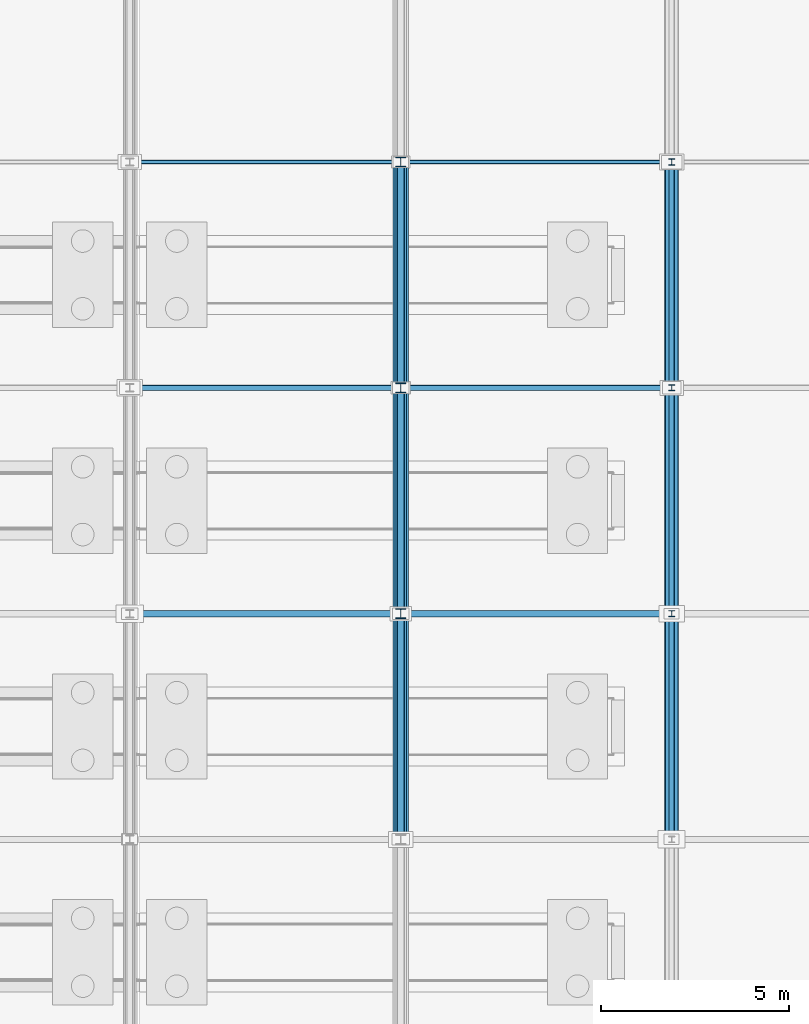
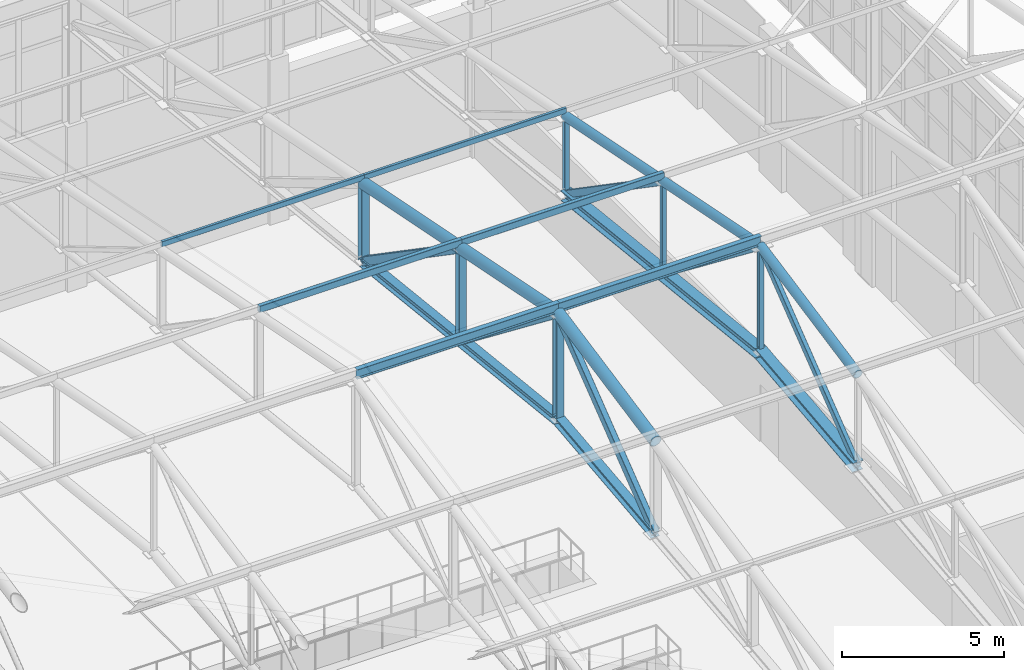
# One storey, part 189 of 293: 30 members.
"""IFC4 building model written with IfcOpenShell, lengths in metres."""

from ifc_helpers import new_model, si_unit, direction, frame, origin, origin_2d, place, context, subcontext, project, spatial, hollow_rectangle, hollow_circle, i_section, extrude, material, material_profile, profile_set, type_object, element, save


model = new_model("IFC4")

# Units and contexts
model_context = context("Model", 3, precision=1e-05, world=origin(), true_north=direction((0.0, 1.0)))
body_context = subcontext(model_context, "Body", "Model", "MODEL_VIEW")
ifc_project = project(units=[si_unit("LENGTHUNIT", "METRE"), si_unit("AREAUNIT", "SQUARE_METRE"), si_unit("VOLUMEUNIT", "CUBIC_METRE"), si_unit("PLANEANGLEUNIT", "RADIAN"), si_unit("MASSUNIT", "GRAM", prefix="KILO")], contexts=[model_context])

# Site, building, storey
site_placement = place(None, origin())
site = spatial("IfcSite", under=ifc_project, at=site_placement, CompositionType="ELEMENT")
building_placement = place(site_placement, origin())
building = spatial("IfcBuilding", under=site, at=building_placement, Name="Kemerveld Promenade Tramway Depot", CompositionType="ELEMENT")
storey_placement = place(building_placement, origin())
storey = spatial("IfcBuildingStorey", under=building, at=storey_placement, Name="L00", CompositionType="ELEMENT", Elevation=0.0)

# Members
ifc_material = material(Name="Steel S355", Category="steel")
ifc_material_profile_1 = material_profile(ifc_material, hollow_rectangle(XDim=0.199951171875, YDim=0.300048828125, WallThickness=0.012451171875, InnerFilletRadius=0.00634765625, OuterFilletRadius=0.018798828125, at=origin_2d()), Name="300x200x12.5 RHS")
ifc_profile_set_1 = profile_set([ifc_material_profile_1], Name="Steel S355")
member_type_1 = type_object("IfcMemberType", Name="MB-M01", PredefinedType="BRACE", material=ifc_profile_set_1)
for number, where, z_axis, x_axis, name in (
    (1, (165.60009765625, 108.0, 12.43994140625), (0.0, 0.789767329101, 0.613406525793), (-1.0, 0.0, 0.0), "TR-24-DG-05"),
    (2, (165.60009765625, 120.0, 12.43994140625), (0.0, -0.789767329101, 0.613406525793), (1.0, 0.0, 0.0), "TR-24-DG-06"),
):
    element("IfcMember", number, at=place(storey_placement, frame(where, z_axis=z_axis, x_axis=x_axis)), inside=storey, type_object=member_type_1, Name=name, PredefinedType="BRACE", context=body_context, shape_type="SweptSolid", body=[
        extrude(hollow_rectangle(XDim=0.199951171875, YDim=0.300048828125, WallThickness=0.012451171875, InnerFilletRadius=0.00634765625, OuterFilletRadius=0.018798828125, at=origin_2d()), origin(), (0.0, 0.0, 1.0), 7.59716796875),
    ])
member_1_placement = place(storey_placement, frame((165.60009765625, 126.0, 11.780029296875), z_axis=(0.0, -0.824370638462, 0.566050395673), x_axis=(1.0, 0.0, 0.0)))
element("IfcMember", 3, at=member_1_placement, inside=storey, type_object=member_type_1, Name="TR-24-DG-07", PredefinedType="BRACE", context=body_context, shape_type="SweptSolid", body=[
    extrude(hollow_rectangle(XDim=0.199951171875, YDim=0.300048828125, WallThickness=0.012451171875, InnerFilletRadius=0.00634765625, OuterFilletRadius=0.018798828125, at=origin_2d()), origin(), (0.0, 0.0, 1.0), 7.2783203125),
])
ifc_material_profile_2 = material_profile(ifc_material, hollow_rectangle(XDim=0.14990234375, YDim=0.25, WallThickness=0.010009765625, InnerFilletRadius=0.0048828125, OuterFilletRadius=0.014892578125, at=origin_2d()), Name="250x150x10.0 RHS")
ifc_profile_set_2 = profile_set([ifc_material_profile_2], Name="Steel S355")
member_type_2 = type_object("IfcMemberType", Name="MB-M02", PredefinedType="BRACE", material=ifc_profile_set_2)
for number, where, z_axis, x_axis, name in (
    (4, (172.800048828125, 108.0, 12.43994140625), (0.0, 0.789767329101, 0.613406525793), (-1.0, 0.0, 0.0), "TR-25-DG-05"),
    (5, (172.800048828125, 120.0, 12.43994140625), (0.0, -0.789767329101, 0.613406525793), (1.0, 0.0, 0.0), "TR-25-DG-06"),
):
    element("IfcMember", number, at=place(storey_placement, frame(where, z_axis=z_axis, x_axis=x_axis)), inside=storey, type_object=member_type_2, Name=name, PredefinedType="BRACE", context=body_context, shape_type="SweptSolid", body=[
        extrude(hollow_rectangle(XDim=0.14990234375, YDim=0.25, WallThickness=0.010009765625, InnerFilletRadius=0.0048828125, OuterFilletRadius=0.014892578125, at=origin_2d()), origin(), (0.0, 0.0, 1.0), 7.59716796875),
    ])
member_2_placement = place(storey_placement, frame((172.800048828125, 126.0, 11.780029296875), z_axis=(0.0, -0.824370638462, 0.566050395673), x_axis=(1.0, 0.0, 0.0)))
element("IfcMember", 6, at=member_2_placement, inside=storey, type_object=member_type_2, Name="TR-25-DG-07", PredefinedType="BRACE", context=body_context, shape_type="SweptSolid", body=[
    extrude(hollow_rectangle(XDim=0.14990234375, YDim=0.25, WallThickness=0.010009765625, InnerFilletRadius=0.0048828125, OuterFilletRadius=0.014892578125, at=origin_2d()), origin(), (0.0, 0.0, 1.0), 7.2783203125),
])
ifc_material_profile_3 = material_profile(ifc_material, i_section(OverallWidth=0.25634765625, OverallDepth=0.26025390625, WebThickness=0.01025390625, FlangeThickness=0.017333984375, FilletRadius=0.0126953125, at=origin_2d()), Name="254x254x89 UC")
ifc_profile_set_3 = profile_set([ifc_material_profile_3], Name="Steel S355")
member_type_3 = type_object("IfcMemberType", Name="MB-M04", PredefinedType="POST", material=ifc_profile_set_3)
member_3_placement = place(storey_placement, frame((165.60009765625, 114.0, 13.10009765625), z_axis=(0.0, 0.0, 1.0), x_axis=(1.0, 0.0, 0.0)))
element("IfcMember", 7, at=member_3_placement, inside=storey, type_object=member_type_3, Name="TR-24-VT-05", PredefinedType="POST", context=body_context, shape_type="SweptSolid", body=[
    extrude(i_section(OverallWidth=0.25634765625, OverallDepth=0.26025390625, WebThickness=0.01025390625, FlangeThickness=0.017333984375, FilletRadius=0.0126953125, at=origin_2d()), origin(), (0.0, 0.0, 1.0), 4.0),
])
member_4_placement = place(storey_placement, frame((165.60009765625, 120.0, 12.43994140625), z_axis=(0.0, 0.0, 1.0), x_axis=(1.0, 0.0, 0.0)))
element("IfcMember", 8, at=member_4_placement, inside=storey, type_object=member_type_3, Name="TR-24-VT-06", PredefinedType="POST", context=body_context, shape_type="SweptSolid", body=[
    extrude(i_section(OverallWidth=0.25634765625, OverallDepth=0.26025390625, WebThickness=0.01025390625, FlangeThickness=0.017333984375, FilletRadius=0.0126953125, at=origin_2d()), origin(), (0.0, 0.0, 1.0), 3.4599609375),
])
member_5_placement = place(storey_placement, frame((165.60009765625, 126.0, 11.780029296875), z_axis=(0.0, 0.0, 1.0), x_axis=(1.0, 0.0, 0.0)))
element("IfcMember", 9, at=member_5_placement, inside=storey, type_object=member_type_3, Name="TR-24-VT-07", PredefinedType="POST", context=body_context, shape_type="SweptSolid", body=[
    extrude(i_section(OverallWidth=0.25634765625, OverallDepth=0.26025390625, WebThickness=0.01025390625, FlangeThickness=0.017333984375, FilletRadius=0.0126953125, at=origin_2d()), origin(), (0.0, 0.0, 1.0), 2.919921875),
])
ifc_material_profile_4 = material_profile(ifc_material, i_section(OverallWidth=0.154296875, OverallDepth=0.161865234375, WebThickness=0.008056640625, FlangeThickness=0.011474609375, FilletRadius=0.007568359375, at=origin_2d()), Name="152x152x37 UC")
ifc_profile_set_4 = profile_set([ifc_material_profile_4], Name="Steel S355")
member_type_4 = type_object("IfcMemberType", Name="MB-M05", PredefinedType="POST", material=ifc_profile_set_4)
member_6_placement = place(storey_placement, frame((172.800048828125, 114.0, 13.10009765625), z_axis=(0.0, 0.0, 1.0), x_axis=(1.0, 0.0, 0.0)))
element("IfcMember", 10, at=member_6_placement, inside=storey, type_object=member_type_4, Name="TR-25-VT-05", PredefinedType="POST", context=body_context, shape_type="SweptSolid", body=[
    extrude(i_section(OverallWidth=0.154296875, OverallDepth=0.161865234375, WebThickness=0.008056640625, FlangeThickness=0.011474609375, FilletRadius=0.007568359375, at=origin_2d()), origin(), (0.0, 0.0, 1.0), 4.0),
])
member_7_placement = place(storey_placement, frame((172.800048828125, 120.0, 12.43994140625), z_axis=(0.0, 0.0, 1.0), x_axis=(1.0, 0.0, 0.0)))
element("IfcMember", 11, at=member_7_placement, inside=storey, type_object=member_type_4, Name="TR-25-VT-06", PredefinedType="POST", context=body_context, shape_type="SweptSolid", body=[
    extrude(i_section(OverallWidth=0.154296875, OverallDepth=0.161865234375, WebThickness=0.008056640625, FlangeThickness=0.011474609375, FilletRadius=0.007568359375, at=origin_2d()), origin(), (0.0, 0.0, 1.0), 3.4599609375),
])
member_8_placement = place(storey_placement, frame((172.800048828125, 126.0, 11.780029296875), z_axis=(0.0, 0.0, 1.0), x_axis=(1.0, 0.0, 0.0)))
element("IfcMember", 12, at=member_8_placement, inside=storey, type_object=member_type_4, Name="TR-25-VT-07", PredefinedType="POST", context=body_context, shape_type="SweptSolid", body=[
    extrude(i_section(OverallWidth=0.154296875, OverallDepth=0.161865234375, WebThickness=0.008056640625, FlangeThickness=0.011474609375, FilletRadius=0.007568359375, at=origin_2d()), origin(), (0.0, 0.0, 1.0), 2.919921875),
])
ifc_material_profile_5 = material_profile(ifc_material, i_section(OverallWidth=0.172119140625, OverallDepth=0.35791015625, WebThickness=0.008056640625, FlangeThickness=0.012939453125, FilletRadius=0.01025390625, at=origin_2d()), Name="356x171x57 UB")
ifc_profile_set_5 = profile_set([ifc_material_profile_5], Name="Steel S355")
member_type_5 = type_object("IfcMemberType", Name="MB-M07", PredefinedType="PURLIN", material=ifc_profile_set_5)
member_9_placement = place(storey_placement, frame((158.39990234375, 114.0, 17.344970703125), z_axis=(1.0, 0.0, 0.0), x_axis=(0.0, 1.0, 0.0)))
element("IfcMember", 13, at=member_9_placement, inside=storey, type_object=member_type_5, Name="PUR-V1-05-23", PredefinedType="PURLIN", context=body_context, shape_type="SweptSolid", body=[
    extrude(i_section(OverallWidth=0.172119140625, OverallDepth=0.35791015625, WebThickness=0.008056640625, FlangeThickness=0.012939453125, FilletRadius=0.01025390625, at=origin_2d()), origin(), (0.0, 0.0, 1.0), 7.2001953125),
])
member_10_placement = place(storey_placement, frame((165.60009765625, 114.0, 17.344970703125), z_axis=(1.0, 0.0, 0.0), x_axis=(0.0, 1.0, 0.0)))
element("IfcMember", 14, at=member_10_placement, inside=storey, type_object=member_type_5, Name="PUR-V1-05-24", PredefinedType="PURLIN", context=body_context, shape_type="SweptSolid", body=[
    extrude(i_section(OverallWidth=0.172119140625, OverallDepth=0.35791015625, WebThickness=0.008056640625, FlangeThickness=0.012939453125, FilletRadius=0.01025390625, at=origin_2d()), origin(), (0.0, 0.0, 1.0), 7.199951171875),
])
ifc_material_profile_6 = material_profile(ifc_material, i_section(OverallWidth=0.37255859375, OverallDepth=0.3681640625, WebThickness=0.014404296875, FlangeThickness=0.023681640625, FilletRadius=0.01513671875, at=origin_2d()), Name="356x368x177 UC")
ifc_profile_set_6 = profile_set([ifc_material_profile_6], Name="Steel S355")
member_type_6 = type_object("IfcMemberType", Name="MB-M08", PredefinedType="CHORD", material=ifc_profile_set_6)
for number, where, z_axis, x_axis, name in (
    (15, (172.800048828125, 108.0, 12.43994140625), (0.0, 0.994001542248, 0.109366055104), (-1.0, 0.0, 0.0), "TR-25-BC-05"),
    (16, (172.800048828125, 114.0, 13.10009765625), (0.0, 0.994001542248, -0.109366055104), (-1.0, 0.0, 0.0), "TR-25-BC-06"),
    (17, (172.800048828125, 120.0, 12.43994140625), (0.0, 0.994005938353, -0.109326092585), (-1.0, 0.0, 0.0), "TR-25-BC-07"),
):
    element("IfcMember", number, at=place(storey_placement, frame(where, z_axis=z_axis, x_axis=x_axis)), inside=storey, type_object=member_type_6, Name=name, PredefinedType="CHORD", context=body_context, shape_type="SweptSolid", body=[
        extrude(i_section(OverallWidth=0.37255859375, OverallDepth=0.3681640625, WebThickness=0.014404296875, FlangeThickness=0.023681640625, FilletRadius=0.01513671875, at=origin_2d()), origin(), (0.0, 0.0, 1.0), 6.0361328125),
    ])
ifc_material_profile_7 = material_profile(ifc_material, hollow_rectangle(XDim=0.14990234375, YDim=0.25, WallThickness=0.010009765625, InnerFilletRadius=0.0048828125, OuterFilletRadius=0.014892578125, at=origin_2d()), Name="250x150x10.0 RHS")
ifc_profile_set_7 = profile_set([ifc_material_profile_7], Name="Steel S355")
member_type_7 = type_object("IfcMemberType", Name="MB-PR1", PredefinedType="PURLIN", material=ifc_profile_set_7)
member_11_placement = place(storey_placement, frame((158.39990234375, 120.0, 16.14501953125), z_axis=(1.0, 0.0, 0.0), x_axis=(0.0, 1.0, 0.0)))
element("IfcMember", 18, at=member_11_placement, inside=storey, type_object=member_type_7, Name="PUR-V1-06-23", PredefinedType="PURLIN", context=body_context, shape_type="SweptSolid", body=[
    extrude(hollow_rectangle(XDim=0.14990234375, YDim=0.25, WallThickness=0.010009765625, InnerFilletRadius=0.0048828125, OuterFilletRadius=0.014892578125, at=origin_2d()), origin(), (0.0, 0.0, 1.0), 7.2001953125),
])
member_12_placement = place(storey_placement, frame((165.60009765625, 120.0, 16.14501953125), z_axis=(1.0, 0.0, 0.0), x_axis=(0.0, 1.0, 0.0)))
element("IfcMember", 19, at=member_12_placement, inside=storey, type_object=member_type_7, Name="PUR-V1-06-24", PredefinedType="PURLIN", context=body_context, shape_type="SweptSolid", body=[
    extrude(hollow_rectangle(XDim=0.14990234375, YDim=0.25, WallThickness=0.010009765625, InnerFilletRadius=0.0048828125, OuterFilletRadius=0.014892578125, at=origin_2d()), origin(), (0.0, 0.0, 1.0), 7.199951171875),
])
ifc_material_profile_8 = material_profile(ifc_material, hollow_rectangle(XDim=0.10009765625, YDim=0.199951171875, WallThickness=0.008056640625, InnerFilletRadius=0.00390625, OuterFilletRadius=0.011962890625, at=origin_2d()), Name="200x100x8.0 RHS")
ifc_profile_set_8 = profile_set([ifc_material_profile_8], Name="Steel S355")
member_type_8 = type_object("IfcMemberType", Name="MB-PR2", PredefinedType="PURLIN", material=ifc_profile_set_8)
member_13_placement = place(storey_placement, frame((158.39990234375, 126.0, 14.945068359375), z_axis=(1.0, 0.0, 0.0), x_axis=(0.0, 1.0, 0.0)))
element("IfcMember", 20, at=member_13_placement, inside=storey, type_object=member_type_8, Name="PUR-V1-07-23", PredefinedType="PURLIN", context=body_context, shape_type="SweptSolid", body=[
    extrude(hollow_rectangle(XDim=0.10009765625, YDim=0.199951171875, WallThickness=0.008056640625, InnerFilletRadius=0.00390625, OuterFilletRadius=0.011962890625, at=origin_2d()), origin(), (0.0, 0.0, 1.0), 7.2001953125),
])
member_14_placement = place(storey_placement, frame((165.60009765625, 126.0, 14.945068359375), z_axis=(1.0, 0.0, 0.0), x_axis=(0.0, 1.0, 0.0)))
element("IfcMember", 21, at=member_14_placement, inside=storey, type_object=member_type_8, Name="PUR-V1-07-24", PredefinedType="PURLIN", context=body_context, shape_type="SweptSolid", body=[
    extrude(hollow_rectangle(XDim=0.10009765625, YDim=0.199951171875, WallThickness=0.008056640625, InnerFilletRadius=0.00390625, OuterFilletRadius=0.011962890625, at=origin_2d()), origin(), (0.0, 0.0, 1.0), 7.199951171875),
])
ifc_material_profile_9 = material_profile(ifc_material, hollow_circle(Radius=0.203125, WallThickness=0.01611328125, at=origin_2d()), Name="406.4x16.0 CHS")
ifc_profile_set_9 = profile_set([ifc_material_profile_9], Name="Steel S355")
member_type_9 = type_object("IfcMemberType", Name="MB-TC1", PredefinedType="CHORD", material=ifc_profile_set_9)
for number, where, z_axis, x_axis, name in (
    (22, (165.60009765625, 108.0, 15.89990234375), (0.0, 0.980574536798, 0.196146827104), (-1.0, 0.0, 0.0), "TR-24-TC-05"),
    (23, (165.60009765625, 114.0, 17.10009765625), (0.0, 0.980574536798, -0.196146827104), (-1.0, 0.0, 0.0), "TR-24-TC-06"),
    (24, (165.60009765625, 120.0, 15.89990234375), (0.0, 0.980582210276, -0.196108462057), (-1.0, 0.0, 0.0), "TR-24-TC-07"),
):
    element("IfcMember", number, at=place(storey_placement, frame(where, z_axis=z_axis, x_axis=x_axis)), inside=storey, type_object=member_type_9, Name=name, PredefinedType="CHORD", context=body_context, shape_type="SweptSolid", body=[
        extrude(hollow_circle(Radius=0.203125, WallThickness=0.01611328125, at=origin_2d()), origin(), (0.0, 0.0, 1.0), 6.118896484375),
    ])
ifc_material_profile_10 = material_profile(ifc_material, hollow_circle(Radius=0.161865234375, WallThickness=0.012451171875, at=origin_2d()), Name="323.9x12.5 CHS")
ifc_profile_set_10 = profile_set([ifc_material_profile_10], Name="Steel S355")
member_type_10 = type_object("IfcMemberType", Name="MB-TC2", PredefinedType="CHORD", material=ifc_profile_set_10)
for number, where, z_axis, x_axis, name in (
    (25, (172.800048828125, 108.0, 15.89990234375), (0.0, 0.980574536798, 0.196146827104), (-1.0, 0.0, 0.0), "TR-25-TC-05"),
    (26, (172.800048828125, 114.0, 17.10009765625), (0.0, 0.980574536798, -0.196146827104), (-1.0, 0.0, 0.0), "TR-25-TC-06"),
    (27, (172.800048828125, 120.0, 15.89990234375), (0.0, 0.980582210276, -0.196108462057), (-1.0, 0.0, 0.0), "TR-25-TC-07"),
):
    element("IfcMember", number, at=place(storey_placement, frame(where, z_axis=z_axis, x_axis=x_axis)), inside=storey, type_object=member_type_10, Name=name, PredefinedType="CHORD", context=body_context, shape_type="SweptSolid", body=[
        extrude(hollow_circle(Radius=0.161865234375, WallThickness=0.012451171875, at=origin_2d()), origin(), (0.0, 0.0, 1.0), 6.118896484375),
    ])
ifc_material_profile_11 = material_profile(ifc_material, i_section(OverallWidth=0.307373046875, OverallDepth=0.314453125, WebThickness=0.011962890625, FlangeThickness=0.018798828125, FilletRadius=0.01513671875, at=origin_2d()), Name="305x305x118 UC")
ifc_profile_set_11 = profile_set([ifc_material_profile_11], Name="Steel S355")
member_type_11 = type_object("IfcMemberType", Name="MB-TC4", PredefinedType="CHORD", material=ifc_profile_set_11)
for number, where, z_axis, x_axis, name in (
    (28, (165.60009765625, 108.0, 12.43994140625), (0.0, 0.994001542248, 0.109366055104), (-1.0, 0.0, 0.0), "TR-24-BC-05"),
    (29, (165.60009765625, 114.0, 13.10009765625), (0.0, 0.994001542248, -0.109366055104), (-1.0, 0.0, 0.0), "TR-24-BC-06"),
    (30, (165.60009765625, 120.0, 12.43994140625), (0.0, 0.994005938353, -0.109326092585), (-1.0, 0.0, 0.0), "TR-24-BC-07"),
):
    element("IfcMember", number, at=place(storey_placement, frame(where, z_axis=z_axis, x_axis=x_axis)), inside=storey, type_object=member_type_11, Name=name, PredefinedType="CHORD", context=body_context, shape_type="SweptSolid", body=[
        extrude(i_section(OverallWidth=0.307373046875, OverallDepth=0.314453125, WebThickness=0.011962890625, FlangeThickness=0.018798828125, FilletRadius=0.01513671875, at=origin_2d()), origin(), (0.0, 0.0, 1.0), 6.0361328125),
    ])

save(model, "model.ifc")
